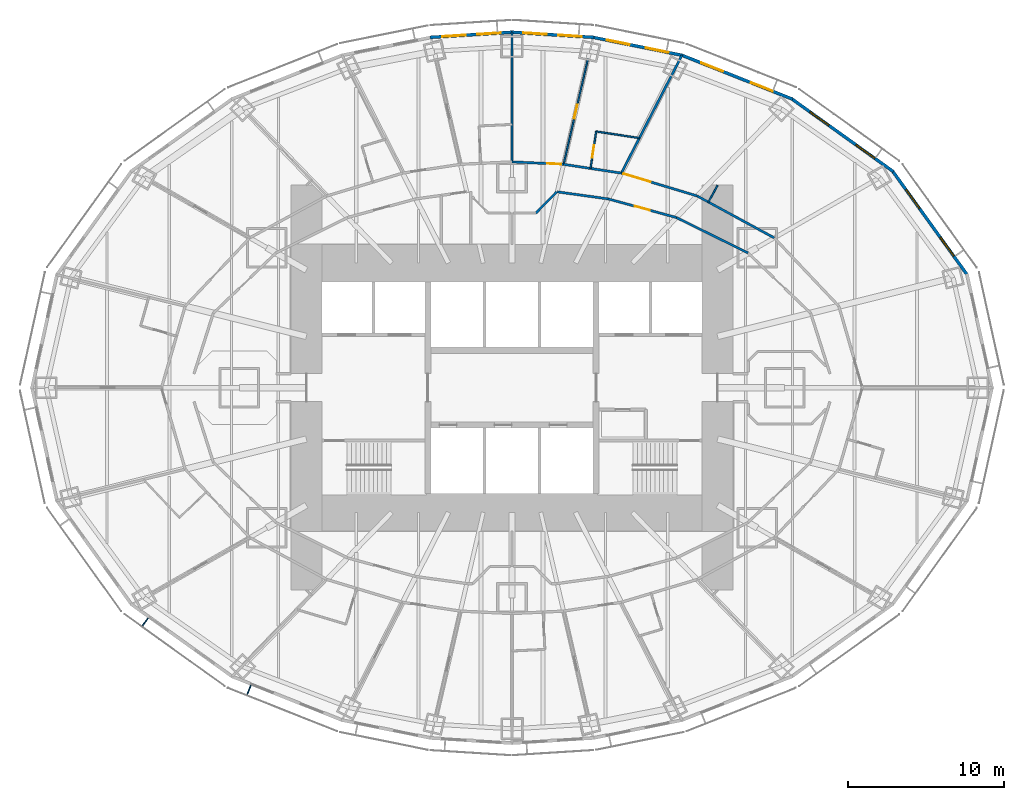
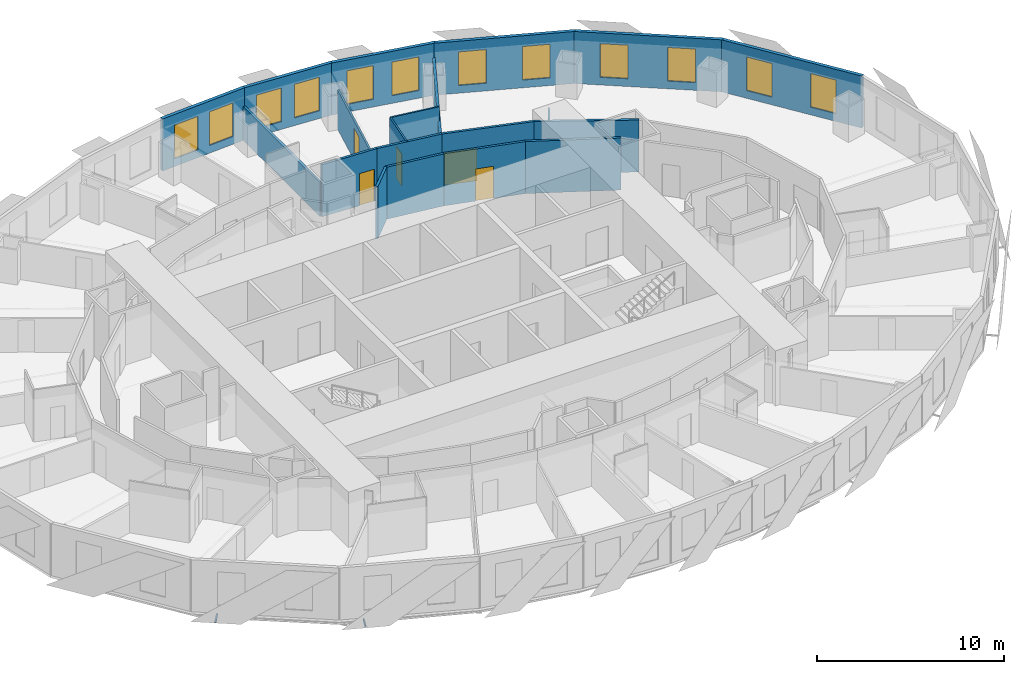
# One storey, part 10 of 15: 20 walls, 12 windows, 5 doors, 2 discrete accessories, 17 openings.
"""IFC4 building model written with IfcOpenShell, lengths in metres."""

from ifc_helpers import new_model, si_unit, direction, frame, frame_2d, origin, origin_2d, place, context, subcontext, project, spatial, rectangle, extrude, material, layer, layer_set, type_object, element, fill, save


model = new_model("IFC4")

# Units and contexts
model_context = context("Model", 3, precision=1e-05, world=origin(), true_north=direction((0.0, 1.0)))
body_context = subcontext(model_context, "Body", "Model", "MODEL_VIEW")
ifc_project = project(units=[si_unit("LENGTHUNIT", "METRE"), si_unit("AREAUNIT", "SQUARE_METRE"), si_unit("VOLUMEUNIT", "CUBIC_METRE"), si_unit("PLANEANGLEUNIT", "RADIAN"), si_unit("MASSUNIT", "GRAM", prefix="KILO")], contexts=[model_context])

# Site, building, storey
site_placement = place(None, origin())
site = spatial("IfcSite", under=ifc_project, at=site_placement, CompositionType="ELEMENT")
building_placement = place(site_placement, origin())
building = spatial("IfcBuilding", under=site, at=building_placement, Name="Lantaw Convention Tower", CompositionType="ELEMENT")
storey_placement = place(building_placement, frame((0.0, 0.0, 101.800048828125)))
storey = spatial("IfcBuildingStorey", under=building, at=storey_placement, Name="L24", CompositionType="ELEMENT", Elevation=101.800048828125)

# Wall, opening, door
ifc_material_1 = material(Name="Moisture resistant gypsum board on steel studs", Category="steel")
ifc_layer_1 = layer(ifc_material_1, 0.10009765625)
ifc_layer_set_1 = layer_set([ifc_layer_1], Name="Bathroom wall 100")
wall_type_1 = type_object("IfcWallType", Name="Bathroom wall 100", PredefinedType="PARTITIONING", material=ifc_layer_set_1)
wall_1_placement = place(storey_placement, frame((5.042236328125, 14.077880859375, 0.0), z_axis=(0.0, 0.0, 1.0), x_axis=(0.150856962013, 0.988555601376, 0.0)))
wall_1 = element("IfcWall", 1, at=wall_1_placement, inside=storey, type_object=wall_type_1, Name="Bathroom wall 100", PredefinedType="PARTITIONING", context=body_context, shape_type="SweptSolid", body=[
    extrude(rectangle(XDim=2.400146484375, YDim=0.10009765625, at=frame_2d((1.2001953125, 0.0))), origin(), (0.0, 0.0, 1.0), 3.39990234375),
])
opening_1_placement = place(wall_1_placement, frame((0.699951171875, 0.0, 0.0)))
opening_1 = element("IfcOpeningElement", 2, at=opening_1_placement, cuts=wall_1, Name="Opening L24.27", PredefinedType="OPENING", context=body_context, shape_type="SweptSolid", body=[
    extrude(rectangle(XDim=0.800048828125, YDim=2.10009765625, at=frame_2d((0.39990234375, 1.050048828125))), frame((0.0, 0.06005859375, 0.0), z_axis=(0.0, -1.0, 0.0), x_axis=(1.0, 0.0, 0.0)), (0.0, 0.0, 1.0), 0.1201171875),
])
ifc_material_2 = material(Name="Timber", Category="wood")
door_type_1 = type_object("IfcDoorType", Name="Bathroom door 800", OperationType="SINGLE_SWING_LEFT", PredefinedType="DOOR", material=ifc_material_2)
door_1_placement = place(opening_1_placement, origin())
door_1 = element("IfcDoor", 3, at=door_1_placement, inside=storey, type_object=door_type_1, Name="Bathroom door", OperationType="SINGLE_SWING_LEFT", OverallHeight=2.10009765625, OverallWidth=0.800048828125, PredefinedType="DOOR", context=body_context, shape_type="SweptSolid", body=[
    extrude(rectangle(XDim=0.800048828125, YDim=2.10009765625, at=frame_2d((0.39990234375, 1.050048828125))), frame((0.0, 0.02490234375, 0.0), z_axis=(0.0, -1.0, 0.0), x_axis=(1.0, 0.0, 0.0)), (0.0, 0.0, 1.0), 0.050048828125),
])
fill(opening_1, door_1)

# Walls
wall_2_placement = place(storey_placement, frame((5.404296875, 16.450439453125, 0.0), z_axis=(0.0, 0.0, 1.0), x_axis=(0.988568792086, -0.150770498819, 0.0)))
element("IfcWall", 4, at=wall_2_placement, inside=storey, type_object=wall_type_1, Name="Bathroom wall 100", PredefinedType="PARTITIONING", context=body_context, shape_type="SweptSolid", body=[
    extrude(rectangle(XDim=2.794921875, YDim=0.10009765625, at=frame_2d((1.3974609375, 0.0))), origin(), (0.0, 0.0, 1.0), 3.39990234375),
])
ifc_material_3 = material(Name="Gypsum board on steel studs, fire rated", Category="steel")
ifc_layer_2 = layer(ifc_material_3, 0.14990234375)
ifc_layer_set_2 = layer_set([ifc_layer_2], Name="Corridor wall 150 EI 60")
wall_type_2 = type_object("IfcWallType", Name="Corridor wall 150 EI 60", PredefinedType="PARTITIONING", material=ifc_layer_set_2)
wall_3_placement = place(storey_placement, frame((16.8349609375, 9.6201171875, 0.0), z_axis=(0.0, 0.0, 1.0), x_axis=(-0.878450059298, 0.477834169267, 0.0)))
element("IfcWall", 5, at=wall_3_placement, inside=storey, type_object=wall_type_2, Name="Corridor wall 150", PredefinedType="PARTITIONING", context=body_context, shape_type="SweptSolid", body=[
    extrude(rectangle(XDim=5.630859375, YDim=0.14990234375, at=frame_2d((2.8154296875, 0.0))), origin(), (0.0, 0.0, 1.0), 3.39990234375),
])

# Wall, opening, door
wall_4_placement = place(storey_placement, frame((11.888427734375, 12.310791015625, 0.0), z_axis=(0.0, 0.0, 1.0), x_axis=(-0.957564241242, 0.288219922793, 0.0)))
wall_4 = element("IfcWall", 6, at=wall_4_placement, inside=storey, type_object=wall_type_2, Name="Corridor wall 150", PredefinedType="PARTITIONING", context=body_context, shape_type="SweptSolid", body=[
    extrude(rectangle(XDim=5.0849609375, YDim=0.14990234375, at=frame_2d((2.54248046875, 0.0))), origin(), (0.0, 0.0, 1.0), 3.39990234375),
])
opening_2_placement = place(wall_4_placement, frame((3.134765625, 0.0, 0.0)))
opening_2 = element("IfcOpeningElement", 7, at=opening_2_placement, cuts=wall_4, Name="Opening L24.26", PredefinedType="OPENING", context=body_context, shape_type="SweptSolid", body=[
    extrude(rectangle(XDim=1.800048828125, YDim=2.10009765625, at=frame_2d((0.89990234375, 1.050048828125))), frame((0.0, 0.0849609375, 0.0), z_axis=(0.0, -1.0, 0.0), x_axis=(1.0, 0.0, 0.0)), (0.0, 0.0, 1.0), 0.169921875),
])
ifc_material_4 = material(Name="Steel, fire rated", Category="steel")
door_type_2 = type_object("IfcDoorType", Name="Lounge double door 1800 FD30", OperationType="DOUBLE_DOOR_DOUBLE_SWING", PredefinedType="DOOR", material=ifc_material_4)
door_2_placement = place(opening_2_placement, origin())
door_2 = element("IfcDoor", 8, at=door_2_placement, inside=storey, type_object=door_type_2, Name="Club lounge door", OperationType="DOUBLE_DOOR_DOUBLE_SWING", OverallHeight=2.10009765625, OverallWidth=1.800048828125, PredefinedType="DOOR", context=body_context, shape_type="SweptSolid", body=[
    extrude(rectangle(XDim=1.800048828125, YDim=2.10009765625, at=frame_2d((0.89990234375, 1.050048828125))), frame((0.0, 0.02490234375, 0.0), z_axis=(0.0, -1.0, 0.0), x_axis=(1.0, 0.0, 0.0)), (0.0, 0.0, 1.0), 0.050048828125),
])
fill(opening_2, door_2)

# Wall
wall_5_placement = place(storey_placement, frame((7.019287109375, 13.7763671875, 0.0), z_axis=(0.0, 0.0, 1.0), x_axis=(-0.988564270062, 0.150800145746, 0.0)))
element("IfcWall", 9, at=wall_5_placement, inside=storey, type_object=wall_type_2, Name="Corridor wall 150", PredefinedType="PARTITIONING", context=body_context, shape_type="SweptSolid", body=[
    extrude(rectangle(XDim=3.751220703125, YDim=0.14990234375, at=frame_2d((1.87548828125, 0.0))), origin(), (0.0, 0.0, 1.0), 3.39990234375),
])

# Wall, opening, door
wall_6_placement = place(storey_placement, frame((3.31103515625, 14.342041015625, 0.0), z_axis=(0.0, 0.0, 1.0), x_axis=(-0.998863968075, 0.047652631422, 0.0)))
wall_6 = element("IfcWall", 10, at=wall_6_placement, inside=storey, type_object=wall_type_2, Name="Corridor wall 150", PredefinedType="PARTITIONING", context=body_context, shape_type="SweptSolid", body=[
    extrude(rectangle(XDim=3.314697265625, YDim=0.14990234375, at=frame_2d((1.6572265625, 0.0))), origin(), (0.0, 0.0, 1.0), 3.39990234375),
])
opening_3_placement = place(wall_6_placement, frame((0.14990234375, 0.0, 0.0)))
opening_3 = element("IfcOpeningElement", 11, at=opening_3_placement, cuts=wall_6, Name="Opening L24.29", PredefinedType="OPENING", context=body_context, shape_type="SweptSolid", body=[
    extrude(rectangle(XDim=0.89990234375, YDim=2.10009765625, at=frame_2d((0.449951171875, 1.050048828125))), frame((0.0, 0.0849609375, 0.0), z_axis=(0.0, -1.0, 0.0), x_axis=(1.0, 0.0, 0.0)), (0.0, 0.0, 1.0), 0.169921875),
])
door_type_3 = type_object("IfcDoorType", Name="Guest room entrance door FD30S", OperationType="SINGLE_SWING_LEFT", PredefinedType="DOOR", material=ifc_material_4)
door_3_placement = place(opening_3_placement, origin())
door_3 = element("IfcDoor", 12, at=door_3_placement, inside=storey, type_object=door_type_3, Name="Suite entrance door", OperationType="SINGLE_SWING_LEFT", OverallHeight=2.10009765625, OverallWidth=0.89990234375, PredefinedType="DOOR", context=body_context, shape_type="SweptSolid", body=[
    extrude(rectangle(XDim=0.89990234375, YDim=2.10009765625, at=frame_2d((0.449951171875, 1.050048828125))), frame((0.0, 0.02490234375, 0.0), z_axis=(0.0, -1.0, 0.0), x_axis=(1.0, 0.0, 0.0)), (0.0, 0.0, 1.0), 0.050048828125),
])
fill(opening_3, door_3)

# Wall
wall_7_placement = place(storey_placement, frame((15.1474609375, 8.65576171875, 0.0), z_axis=(0.0, 0.0, 1.0), x_axis=(-0.89656943448, 0.442903205177, 0.0)))
element("IfcWall", 13, at=wall_7_placement, inside=storey, type_object=wall_type_2, Name="Corridor wall 150", PredefinedType="PARTITIONING", context=body_context, shape_type="SweptSolid", body=[
    extrude(rectangle(XDim=5.12646484375, YDim=0.14990234375, at=frame_2d((2.563232421875, 0.0))), origin(), (0.0, 0.0, 1.0), 3.39990234375),
])

# Wall, opening, door
wall_8_placement = place(storey_placement, frame((10.55126953125, 10.92626953125, 0.0), z_axis=(0.0, 0.0, 1.0), x_axis=(-0.964644466646, 0.263554648923, 0.0)))
wall_8 = element("IfcWall", 14, at=wall_8_placement, inside=storey, type_object=wall_type_2, Name="Corridor wall 150", PredefinedType="PARTITIONING", context=body_context, shape_type="SweptSolid", body=[
    extrude(rectangle(XDim=4.535400390625, YDim=0.14990234375, at=frame_2d((2.267578125, 0.0))), origin(), (0.0, 0.0, 1.0), 3.39990234375),
])
opening_4_placement = place(wall_8_placement, frame((1.767578125, 0.0, 0.0)))
opening_4 = element("IfcOpeningElement", 15, at=opening_4_placement, cuts=wall_8, Name="Opening L24.15", PredefinedType="OPENING", context=body_context, shape_type="SweptSolid", body=[
    extrude(rectangle(XDim=1.0, YDim=2.10009765625, at=frame_2d((0.5, 1.050048828125))), frame((0.0, 0.0849609375, 0.0), z_axis=(0.0, -1.0, 0.0), x_axis=(1.0, 0.0, 0.0)), (0.0, 0.0, 1.0), 0.169921875),
])
door_type_4 = type_object("IfcDoorType", Name="Service door 1000 FD30", OperationType="SINGLE_SWING_LEFT", PredefinedType="DOOR", material=ifc_material_4)
door_4_placement = place(opening_4_placement, origin())
door_4 = element("IfcDoor", 16, at=door_4_placement, inside=storey, type_object=door_type_4, Name="Linen store door", OperationType="SINGLE_SWING_LEFT", OverallHeight=2.10009765625, OverallWidth=1.0, PredefinedType="DOOR", context=body_context, shape_type="SweptSolid", body=[
    extrude(rectangle(XDim=1.0, YDim=2.10009765625, at=frame_2d((0.5, 1.050048828125))), frame((0.0, 0.02490234375, 0.0), z_axis=(0.0, -1.0, 0.0), x_axis=(1.0, 0.0, 0.0)), (0.0, 0.0, 1.0), 0.050048828125),
])
fill(opening_4, door_4)

# Walls
wall_9_placement = place(storey_placement, frame((6.17626953125, 12.12158203125, 0.0), z_axis=(0.0, 0.0, 1.0), x_axis=(-0.990563451353, 0.137054911782, 0.0)))
element("IfcWall", 17, at=wall_9_placement, inside=storey, type_object=wall_type_2, Name="Corridor wall 150", PredefinedType="PARTITIONING", context=body_context, shape_type="SweptSolid", body=[
    extrude(rectangle(XDim=3.304443359375, YDim=0.14990234375, at=frame_2d((1.65234375, 0.0))), origin(), (0.0, 0.0, 1.0), 3.39990234375),
])
wall_10_placement = place(storey_placement, frame((2.87255859375, 12.572265625, 0.0), z_axis=(0.0, 0.0, 1.0), x_axis=(-0.702677261973, -0.711508724828, 0.0)))
element("IfcWall", 18, at=wall_10_placement, inside=storey, type_object=wall_type_2, Name="Corridor wall 150", PredefinedType="PARTITIONING", context=body_context, shape_type="SweptSolid", body=[
    extrude(rectangle(XDim=1.907470703125, YDim=0.14990234375, at=frame_2d((0.95361328125, 0.0))), origin(), (0.0, 0.0, 1.0), 3.39990234375),
])

# Wall, openings, windows
ifc_material_5 = material(Name="Insulated aluminium panel on steel frame", Category="steel")
ifc_layer_3 = layer(ifc_material_5, 0.199951171875)
ifc_layer_set_3 = layer_set([ifc_layer_3], Name="External wall 200")
wall_type_3 = type_object("IfcWallType", Name="External wall 200", PredefinedType="SOLIDWALL", material=ifc_layer_set_3)
wall_11_placement = place(storey_placement, frame((29.260498046875, 7.199951171875, 0.0), z_axis=(0.0, 0.0, 1.0), x_axis=(-0.583937613703, 0.811798536155, 0.0)))
wall_11 = element("IfcWall", 19, at=wall_11_placement, inside=storey, type_object=wall_type_3, Name="Facade panel wall", PredefinedType="SOLIDWALL", context=body_context, shape_type="SweptSolid", body=[
    extrude(rectangle(XDim=8.322998046875, YDim=0.199951171875, at=frame_2d((4.16162109375, 0.0))), origin(), (0.0, 0.0, 1.0), 3.39990234375),
])
opening_5_placement = place(wall_11_placement, frame((1.53076171875, 0.0, 0.5)))
opening_5 = element("IfcOpeningElement", 20, at=opening_5_placement, cuts=wall_11, Name="Opening W2", PredefinedType="OPENING", context=body_context, shape_type="SweptSolid", body=[
    extrude(rectangle(XDim=1.5, YDim=2.199951171875, at=frame_2d((0.75, 1.10009765625))), frame((0.0, 0.10986328125, 0.0), z_axis=(0.0, -1.0, 0.0), x_axis=(1.0, 0.0, 0.0)), (0.0, 0.0, 1.0), 0.219970703125),
])
opening_6_placement = place(wall_11_placement, frame((5.292236328125, 0.0, 0.5)))
opening_6 = element("IfcOpeningElement", 21, at=opening_6_placement, cuts=wall_11, Name="Opening W2", PredefinedType="OPENING", context=body_context, shape_type="SweptSolid", body=[
    extrude(rectangle(XDim=1.5, YDim=2.199951171875, at=frame_2d((0.75, 1.10009765625))), frame((0.0, 0.10986328125, 0.0), z_axis=(0.0, -1.0, 0.0), x_axis=(1.0, 0.0, 0.0)), (0.0, 0.0, 1.0), 0.219970703125),
])
ifc_material_6 = material(Name="Aluminium frame, clear insulating glass", Category="aluminium")
window_type = type_object("IfcWindowType", Name="Suite window 1500x2200", PartitioningType="SINGLE_PANEL", PredefinedType="WINDOW", material=ifc_material_6)
window_1_placement = place(opening_5_placement, origin())
window_1 = element("IfcWindow", 22, at=window_1_placement, inside=storey, type_object=window_type, Name="Guest room window", OverallHeight=2.199951171875, OverallWidth=1.5, PartitioningType="SINGLE_PANEL", PredefinedType="WINDOW", context=body_context, shape_type="SweptSolid", body=[
    extrude(rectangle(XDim=1.5, YDim=2.199951171875, at=frame_2d((0.75, 1.10009765625))), frame((0.0, 0.030029296875, 0.0), z_axis=(0.0, -1.0, 0.0), x_axis=(1.0, 0.0, 0.0)), (0.0, 0.0, 1.0), 0.06005859375),
])
fill(opening_5, window_1)
window_2_placement = place(opening_6_placement, origin())
window_2 = element("IfcWindow", 23, at=window_2_placement, inside=storey, type_object=window_type, Name="Guest room window", OverallHeight=2.199951171875, OverallWidth=1.5, PartitioningType="SINGLE_PANEL", PredefinedType="WINDOW", context=body_context, shape_type="SweptSolid", body=[
    extrude(rectangle(XDim=1.5, YDim=2.199951171875, at=frame_2d((0.75, 1.10009765625))), frame((0.0, 0.030029296875, 0.0), z_axis=(0.0, -1.0, 0.0), x_axis=(1.0, 0.0, 0.0)), (0.0, 0.0, 1.0), 0.06005859375),
])
fill(opening_6, window_2)

wall_12_placement = place(storey_placement, frame((24.482421875, 13.87451171875, 0.0), z_axis=(0.0, 0.0, 1.0), x_axis=(-0.812791321576, 0.582554948112, 0.0)))
wall_12 = element("IfcWall", 24, at=wall_12_placement, inside=storey, type_object=wall_type_3, Name="Facade panel wall", PredefinedType="SOLIDWALL", context=body_context, shape_type="SweptSolid", body=[
    extrude(rectangle(XDim=8.063232421875, YDim=0.199951171875, at=frame_2d((4.03173828125, 0.0))), origin(), (0.0, 0.0, 1.0), 3.39990234375),
])
opening_7_placement = place(wall_12_placement, frame((1.4658203125, 0.0, 0.5)))
opening_7 = element("IfcOpeningElement", 25, at=opening_7_placement, cuts=wall_12, Name="Opening W2", PredefinedType="OPENING", context=body_context, shape_type="SweptSolid", body=[
    extrude(rectangle(XDim=1.5, YDim=2.199951171875, at=frame_2d((0.75, 1.10009765625))), frame((0.0, 0.10986328125, 0.0), z_axis=(0.0, -1.0, 0.0), x_axis=(1.0, 0.0, 0.0)), (0.0, 0.0, 1.0), 0.219970703125),
])
opening_8_placement = place(wall_12_placement, frame((5.097412109375, 0.0, 0.5)))
opening_8 = element("IfcOpeningElement", 26, at=opening_8_placement, cuts=wall_12, Name="Opening W2", PredefinedType="OPENING", context=body_context, shape_type="SweptSolid", body=[
    extrude(rectangle(XDim=1.5, YDim=2.199951171875, at=frame_2d((0.75, 1.10009765625))), frame((0.0, 0.10986328125, 0.0), z_axis=(0.0, -1.0, 0.0), x_axis=(1.0, 0.0, 0.0)), (0.0, 0.0, 1.0), 0.219970703125),
])
window_3_placement = place(opening_7_placement, origin())
window_3 = element("IfcWindow", 27, at=window_3_placement, inside=storey, type_object=window_type, Name="Guest room window", OverallHeight=2.199951171875, OverallWidth=1.5, PartitioningType="SINGLE_PANEL", PredefinedType="WINDOW", context=body_context, shape_type="SweptSolid", body=[
    extrude(rectangle(XDim=1.5, YDim=2.199951171875, at=frame_2d((0.75, 1.10009765625))), frame((0.0, 0.030029296875, 0.0), z_axis=(0.0, -1.0, 0.0), x_axis=(1.0, 0.0, 0.0)), (0.0, 0.0, 1.0), 0.06005859375),
])
fill(opening_7, window_3)
window_4_placement = place(opening_8_placement, origin())
window_4 = element("IfcWindow", 28, at=window_4_placement, inside=storey, type_object=window_type, Name="Guest room window", OverallHeight=2.199951171875, OverallWidth=1.5, PartitioningType="SINGLE_PANEL", PredefinedType="WINDOW", context=body_context, shape_type="SweptSolid", body=[
    extrude(rectangle(XDim=1.5, YDim=2.199951171875, at=frame_2d((0.75, 1.10009765625))), frame((0.0, 0.030029296875, 0.0), z_axis=(0.0, -1.0, 0.0), x_axis=(1.0, 0.0, 0.0)), (0.0, 0.0, 1.0), 0.06005859375),
])
fill(opening_8, window_4)

wall_13_placement = place(storey_placement, frame((18.018310546875, 18.522705078125, 0.0), z_axis=(0.0, 0.0, 1.0), x_axis=(-0.929358351251, 0.369178892895, 0.0)))
wall_13 = element("IfcWall", 29, at=wall_13_placement, inside=storey, type_object=wall_type_3, Name="Facade panel wall", PredefinedType="SOLIDWALL", context=body_context, shape_type="SweptSolid", body=[
    extrude(rectangle(XDim=7.6923828125, YDim=0.199951171875, at=frame_2d((3.84619140625, 0.0))), origin(), (0.0, 0.0, 1.0), 3.39990234375),
])
opening_9_placement = place(wall_13_placement, frame((1.373046875, 0.0, 0.5)))
opening_9 = element("IfcOpeningElement", 30, at=opening_9_placement, cuts=wall_13, Name="Opening W2", PredefinedType="OPENING", context=body_context, shape_type="SweptSolid", body=[
    extrude(rectangle(XDim=1.5, YDim=2.199951171875, at=frame_2d((0.75, 1.10009765625))), frame((0.0, 0.10986328125, 0.0), z_axis=(0.0, -1.0, 0.0), x_axis=(1.0, 0.0, 0.0)), (0.0, 0.0, 1.0), 0.219970703125),
])
opening_10_placement = place(wall_13_placement, frame((4.819091796875, 0.0, 0.5)))
opening_10 = element("IfcOpeningElement", 31, at=opening_10_placement, cuts=wall_13, Name="Opening W2", PredefinedType="OPENING", context=body_context, shape_type="SweptSolid", body=[
    extrude(rectangle(XDim=1.5, YDim=2.199951171875, at=frame_2d((0.75, 1.10009765625))), frame((0.0, 0.10986328125, 0.0), z_axis=(0.0, -1.0, 0.0), x_axis=(1.0, 0.0, 0.0)), (0.0, 0.0, 1.0), 0.219970703125),
])
window_5_placement = place(opening_9_placement, origin())
window_5 = element("IfcWindow", 32, at=window_5_placement, inside=storey, type_object=window_type, Name="Guest room window", OverallHeight=2.199951171875, OverallWidth=1.5, PartitioningType="SINGLE_PANEL", PredefinedType="WINDOW", context=body_context, shape_type="SweptSolid", body=[
    extrude(rectangle(XDim=1.5, YDim=2.199951171875, at=frame_2d((0.75, 1.10009765625))), frame((0.0, 0.030029296875, 0.0), z_axis=(0.0, -1.0, 0.0), x_axis=(1.0, 0.0, 0.0)), (0.0, 0.0, 1.0), 0.06005859375),
])
fill(opening_9, window_5)
window_6_placement = place(opening_10_placement, origin())
window_6 = element("IfcWindow", 33, at=window_6_placement, inside=storey, type_object=window_type, Name="Guest room window", OverallHeight=2.199951171875, OverallWidth=1.5, PartitioningType="SINGLE_PANEL", PredefinedType="WINDOW", context=body_context, shape_type="SweptSolid", body=[
    extrude(rectangle(XDim=1.5, YDim=2.199951171875, at=frame_2d((0.75, 1.10009765625))), frame((0.0, 0.030029296875, 0.0), z_axis=(0.0, -1.0, 0.0), x_axis=(1.0, 0.0, 0.0)), (0.0, 0.0, 1.0), 0.06005859375),
])
fill(opening_10, window_6)

wall_14_placement = place(storey_placement, frame((10.956787109375, 21.336669921875, 0.0), z_axis=(0.0, 0.0, 1.0), x_axis=(-0.980251657452, 0.197754110105, 0.0)))
wall_14 = element("IfcWall", 34, at=wall_14_placement, inside=storey, type_object=wall_type_3, Name="Facade panel wall", PredefinedType="SOLIDWALL", context=body_context, shape_type="SweptSolid", body=[
    extrude(rectangle(XDim=5.90380859375, YDim=0.199951171875, at=frame_2d((2.951904296875, 0.0))), origin(), (0.0, 0.0, 1.0), 3.39990234375),
])
opening_11_placement = place(wall_14_placement, frame((0.92578125, 0.0, 0.5)))
opening_11 = element("IfcOpeningElement", 35, at=opening_11_placement, cuts=wall_14, Name="Opening W2", PredefinedType="OPENING", context=body_context, shape_type="SweptSolid", body=[
    extrude(rectangle(XDim=1.5, YDim=2.199951171875, at=frame_2d((0.75, 1.10009765625))), frame((0.0, 0.10986328125, 0.0), z_axis=(0.0, -1.0, 0.0), x_axis=(1.0, 0.0, 0.0)), (0.0, 0.0, 1.0), 0.219970703125),
])
opening_12_placement = place(wall_14_placement, frame((3.477783203125, 0.0, 0.5)))
opening_12 = element("IfcOpeningElement", 36, at=opening_12_placement, cuts=wall_14, Name="Opening W2", PredefinedType="OPENING", context=body_context, shape_type="SweptSolid", body=[
    extrude(rectangle(XDim=1.5, YDim=2.199951171875, at=frame_2d((0.75, 1.10009765625))), frame((0.0, 0.10986328125, 0.0), z_axis=(0.0, -1.0, 0.0), x_axis=(1.0, 0.0, 0.0)), (0.0, 0.0, 1.0), 0.219970703125),
])
window_7_placement = place(opening_11_placement, origin())
window_7 = element("IfcWindow", 37, at=window_7_placement, inside=storey, type_object=window_type, Name="Guest room window", OverallHeight=2.199951171875, OverallWidth=1.5, PartitioningType="SINGLE_PANEL", PredefinedType="WINDOW", context=body_context, shape_type="SweptSolid", body=[
    extrude(rectangle(XDim=1.5, YDim=2.199951171875, at=frame_2d((0.75, 1.10009765625))), frame((0.0, 0.030029296875, 0.0), z_axis=(0.0, -1.0, 0.0), x_axis=(1.0, 0.0, 0.0)), (0.0, 0.0, 1.0), 0.06005859375),
])
fill(opening_11, window_7)
window_8_placement = place(opening_12_placement, origin())
window_8 = element("IfcWindow", 38, at=window_8_placement, inside=storey, type_object=window_type, Name="Guest room window", OverallHeight=2.199951171875, OverallWidth=1.5, PartitioningType="SINGLE_PANEL", PredefinedType="WINDOW", context=body_context, shape_type="SweptSolid", body=[
    extrude(rectangle(XDim=1.5, YDim=2.199951171875, at=frame_2d((0.75, 1.10009765625))), frame((0.0, 0.030029296875, 0.0), z_axis=(0.0, -1.0, 0.0), x_axis=(1.0, 0.0, 0.0)), (0.0, 0.0, 1.0), 0.06005859375),
])
fill(opening_12, window_8)

wall_15_placement = place(storey_placement, frame((5.252685546875, 22.493408203125, 0.0), z_axis=(0.0, 0.0, 1.0), x_axis=(-0.998018582375, 0.062919863585, 0.0)))
wall_15 = element("IfcWall", 39, at=wall_15_placement, inside=storey, type_object=wall_type_3, Name="Facade panel wall", PredefinedType="SOLIDWALL", context=body_context, shape_type="SweptSolid", body=[
    extrude(rectangle(XDim=5.30419921875, YDim=0.199951171875, at=frame_2d((2.652099609375, 0.0))), origin(), (0.0, 0.0, 1.0), 3.39990234375),
])
opening_13_placement = place(wall_15_placement, frame((0.77587890625, 0.0, 0.5)))
opening_13 = element("IfcOpeningElement", 40, at=opening_13_placement, cuts=wall_15, Name="Opening W2", PredefinedType="OPENING", context=body_context, shape_type="SweptSolid", body=[
    extrude(rectangle(XDim=1.5, YDim=2.199951171875, at=frame_2d((0.75, 1.10009765625))), frame((0.0, 0.10986328125, 0.0), z_axis=(0.0, -1.0, 0.0), x_axis=(1.0, 0.0, 0.0)), (0.0, 0.0, 1.0), 0.219970703125),
])
opening_14_placement = place(wall_15_placement, frame((3.028076171875, 0.0, 0.5)))
opening_14 = element("IfcOpeningElement", 41, at=opening_14_placement, cuts=wall_15, Name="Opening W2", PredefinedType="OPENING", context=body_context, shape_type="SweptSolid", body=[
    extrude(rectangle(XDim=1.5, YDim=2.199951171875, at=frame_2d((0.75, 1.10009765625))), frame((0.0, 0.10986328125, 0.0), z_axis=(0.0, -1.0, 0.0), x_axis=(1.0, 0.0, 0.0)), (0.0, 0.0, 1.0), 0.219970703125),
])
window_9_placement = place(opening_13_placement, origin())
window_9 = element("IfcWindow", 42, at=window_9_placement, inside=storey, type_object=window_type, Name="Guest room window", OverallHeight=2.199951171875, OverallWidth=1.5, PartitioningType="SINGLE_PANEL", PredefinedType="WINDOW", context=body_context, shape_type="SweptSolid", body=[
    extrude(rectangle(XDim=1.5, YDim=2.199951171875, at=frame_2d((0.75, 1.10009765625))), frame((0.0, 0.030029296875, 0.0), z_axis=(0.0, -1.0, 0.0), x_axis=(1.0, 0.0, 0.0)), (0.0, 0.0, 1.0), 0.06005859375),
])
fill(opening_13, window_9)
window_10_placement = place(opening_14_placement, origin())
window_10 = element("IfcWindow", 43, at=window_10_placement, inside=storey, type_object=window_type, Name="Guest room window", OverallHeight=2.199951171875, OverallWidth=1.5, PartitioningType="SINGLE_PANEL", PredefinedType="WINDOW", context=body_context, shape_type="SweptSolid", body=[
    extrude(rectangle(XDim=1.5, YDim=2.199951171875, at=frame_2d((0.75, 1.10009765625))), frame((0.0, 0.030029296875, 0.0), z_axis=(0.0, -1.0, 0.0), x_axis=(1.0, 0.0, 0.0)), (0.0, 0.0, 1.0), 0.06005859375),
])
fill(opening_14, window_10)

wall_16_placement = place(storey_placement, frame((0.041015625, 22.8271484375, 0.0), z_axis=(0.0, 0.0, 1.0), x_axis=(-0.998018582375, -0.062919863585, 0.0)))
wall_16 = element("IfcWall", 44, at=wall_16_placement, inside=storey, type_object=wall_type_3, Name="Facade panel wall", PredefinedType="SOLIDWALL", context=body_context, shape_type="SweptSolid", body=[
    extrude(rectangle(XDim=5.30419921875, YDim=0.199951171875, at=frame_2d((2.652099609375, 0.0))), origin(), (0.0, 0.0, 1.0), 3.39990234375),
])
opening_15_placement = place(wall_16_placement, frame((0.77587890625, 0.0, 0.5)))
opening_15 = element("IfcOpeningElement", 45, at=opening_15_placement, cuts=wall_16, Name="Opening W2", PredefinedType="OPENING", context=body_context, shape_type="SweptSolid", body=[
    extrude(rectangle(XDim=1.5, YDim=2.199951171875, at=frame_2d((0.75, 1.10009765625))), frame((0.0, 0.10986328125, 0.0), z_axis=(0.0, -1.0, 0.0), x_axis=(1.0, 0.0, 0.0)), (0.0, 0.0, 1.0), 0.219970703125),
])
opening_16_placement = place(wall_16_placement, frame((3.028076171875, 0.0, 0.5)))
opening_16 = element("IfcOpeningElement", 46, at=opening_16_placement, cuts=wall_16, Name="Opening W2", PredefinedType="OPENING", context=body_context, shape_type="SweptSolid", body=[
    extrude(rectangle(XDim=1.5, YDim=2.199951171875, at=frame_2d((0.75, 1.10009765625))), frame((0.0, 0.10986328125, 0.0), z_axis=(0.0, -1.0, 0.0), x_axis=(1.0, 0.0, 0.0)), (0.0, 0.0, 1.0), 0.219970703125),
])
window_11_placement = place(opening_15_placement, origin())
window_11 = element("IfcWindow", 47, at=window_11_placement, inside=storey, type_object=window_type, Name="Guest room window", OverallHeight=2.199951171875, OverallWidth=1.5, PartitioningType="SINGLE_PANEL", PredefinedType="WINDOW", context=body_context, shape_type="SweptSolid", body=[
    extrude(rectangle(XDim=1.5, YDim=2.199951171875, at=frame_2d((0.75, 1.10009765625))), frame((0.0, 0.030029296875, 0.0), z_axis=(0.0, -1.0, 0.0), x_axis=(1.0, 0.0, 0.0)), (0.0, 0.0, 1.0), 0.06005859375),
])
fill(opening_15, window_11)
window_12_placement = place(opening_16_placement, origin())
window_12 = element("IfcWindow", 48, at=window_12_placement, inside=storey, type_object=window_type, Name="Guest room window", OverallHeight=2.199951171875, OverallWidth=1.5, PartitioningType="SINGLE_PANEL", PredefinedType="WINDOW", context=body_context, shape_type="SweptSolid", body=[
    extrude(rectangle(XDim=1.5, YDim=2.199951171875, at=frame_2d((0.75, 1.10009765625))), frame((0.0, 0.030029296875, 0.0), z_axis=(0.0, -1.0, 0.0), x_axis=(1.0, 0.0, 0.0)), (0.0, 0.0, 1.0), 0.06005859375),
])
fill(opening_16, window_12)

# Walls
ifc_material_7 = material(Name="Gypsum board on steel studs, acoustic", Category="steel")
ifc_layer_4 = layer(ifc_material_7, 0.14990234375)
ifc_layer_set_4 = layer_set([ifc_layer_4], Name="Guest room party wall 150")
wall_type_4 = type_object("IfcWallType", Name="Guest room party wall 150", PredefinedType="PARTITIONING", material=ifc_layer_set_4)
wall_17_placement = place(storey_placement, frame((10.911865234375, 21.345703125, 0.0), z_axis=(0.0, 0.0, 1.0), x_axis=(-0.457327273085, -0.889298468059, 0.0)))
element("IfcWall", 49, at=wall_17_placement, inside=storey, type_object=wall_type_4, Name="Guest room party wall 150", PredefinedType="PARTITIONING", context=body_context, shape_type="SweptSolid", body=[
    extrude(rectangle(XDim=8.511474609375, YDim=0.14990234375, at=frame_2d((4.255859375, 0.0))), origin(), (0.0, 0.0, 1.0), 2.462646484375),
])
wall_18_placement = place(storey_placement, frame((0.0, 22.82470703125, 0.0), z_axis=(0.0, 0.0, 1.0), x_axis=(0.0, -1.0, 0.0)))
element("IfcWall", 50, at=wall_18_placement, inside=storey, type_object=wall_type_4, Name="Guest room party wall 150", PredefinedType="PARTITIONING", context=body_context, shape_type="SweptSolid", body=[
    extrude(rectangle(XDim=8.32470703125, YDim=0.14990234375, at=frame_2d((4.162353515625, 0.0))), origin(), (0.0, 0.0, 1.0), 2.199951171875),
])
ifc_layer_5 = layer(ifc_material_7, 0.10009765625)
ifc_layer_set_5 = layer_set([ifc_layer_5], Name="Office partition 100")
wall_type_5 = type_object("IfcWallType", Name="Office partition 100", PredefinedType="PARTITIONING", material=ifc_layer_set_5)
wall_19_placement = place(storey_placement, frame((13.199951171875, 13.0, 0.0), z_axis=(0.0, 0.0, 1.0), x_axis=(-0.477852414256, -0.878440134665, 0.0)))
element("IfcWall", 51, at=wall_19_placement, inside=storey, type_object=wall_type_5, Name="Office partition 100", PredefinedType="PARTITIONING", context=body_context, shape_type="SweptSolid", body=[
    extrude(rectangle(XDim=1.232421875, YDim=0.10009765625, at=frame_2d((0.6162109375, 0.0))), origin(), (0.0, 0.0, 1.0), 3.39990234375),
])

# Wall, opening, door
ifc_material_8 = material(Name="Gypsum board on steel studs", Category="steel")
ifc_layer_6 = layer(ifc_material_8, 0.10009765625)
ifc_layer_set_6 = layer_set([ifc_layer_6], Name="Suite partition 100")
wall_type_6 = type_object("IfcWallType", Name="Suite partition 100", PredefinedType="PARTITIONING", material=ifc_layer_set_6)
wall_20_placement = place(storey_placement, frame((4.873779296875, 21.11083984375, 0.0), z_axis=(0.0, 0.0, 1.0), x_axis=(-0.224957040173, -0.974368682828, 0.0)))
wall_20 = element("IfcWall", 52, at=wall_20_placement, inside=storey, type_object=wall_type_6, Name="Suite partition 100", PredefinedType="PARTITIONING", context=body_context, shape_type="SweptSolid", body=[
    extrude(rectangle(XDim=6.94677734375, YDim=0.10009765625, at=frame_2d((3.473388671875, 0.0))), origin(), (0.0, 0.0, 1.0), 2.55419921875),
])
opening_17_placement = place(wall_20_placement, frame((3.0234375, 0.0, 0.0)))
opening_17 = element("IfcOpeningElement", 53, at=opening_17_placement, cuts=wall_20, Name="Opening L24.28", PredefinedType="OPENING", context=body_context, shape_type="SweptSolid", body=[
    extrude(rectangle(XDim=0.89990234375, YDim=2.10009765625, at=frame_2d((0.449951171875, 1.050048828125))), frame((0.0, 0.06005859375, 0.0), z_axis=(0.0, -1.0, 0.0), x_axis=(1.0, 0.0, 0.0)), (0.0, 0.0, 1.0), 0.1201171875),
])
door_type_5 = type_object("IfcDoorType", Name="Suite door 900", OperationType="SINGLE_SWING_LEFT", PredefinedType="DOOR", material=ifc_material_2)
door_5_placement = place(opening_17_placement, origin())
door_5 = element("IfcDoor", 54, at=door_5_placement, inside=storey, type_object=door_type_5, Name="Bedroom door", OperationType="SINGLE_SWING_LEFT", OverallHeight=2.10009765625, OverallWidth=0.89990234375, PredefinedType="DOOR", context=body_context, shape_type="SweptSolid", body=[
    extrude(rectangle(XDim=0.89990234375, YDim=2.10009765625, at=frame_2d((0.449951171875, 1.050048828125))), frame((0.0, 0.02490234375, 0.0), z_axis=(0.0, -1.0, 0.0), x_axis=(1.0, 0.0, 0.0)), (0.0, 0.0, 1.0), 0.050048828125),
])
fill(opening_17, door_5)

# Discrete accessories
for number, where, z_axis, x_axis, name in (
    (55, (-23.564453125, -15.06640625, -0.114990234375), (0.0, 0.0, 1.0), (0.812803733199, -0.5825376308, 0.0), "Screen bracket"),
    (56, (-16.898193359375, -19.4345703125, -0.114990234375), (0.0, 0.0, 1.0), (0.929361152748, -0.369171840425, 0.0), "Screen bracket"),
):
    element("IfcDiscreteAccessory", number, at=place(storey_placement, frame(where, z_axis=z_axis, x_axis=x_axis)), inside=storey, Name=name, PredefinedType="BRACKET", context=body_context, shape_type="SweptSolid", body=[
        extrude(rectangle(XDim=0.080078125, YDim=0.68798828125, at=origin_2d()), origin(), (0.0, 0.0, 1.0), 0.080078125),
    ])

save(model, "model.ifc")
